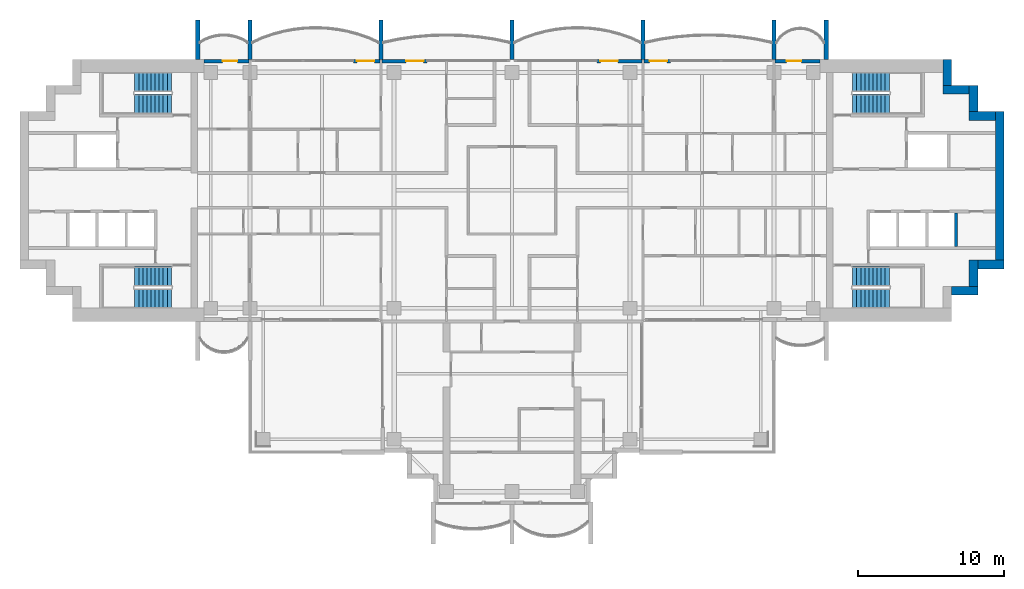
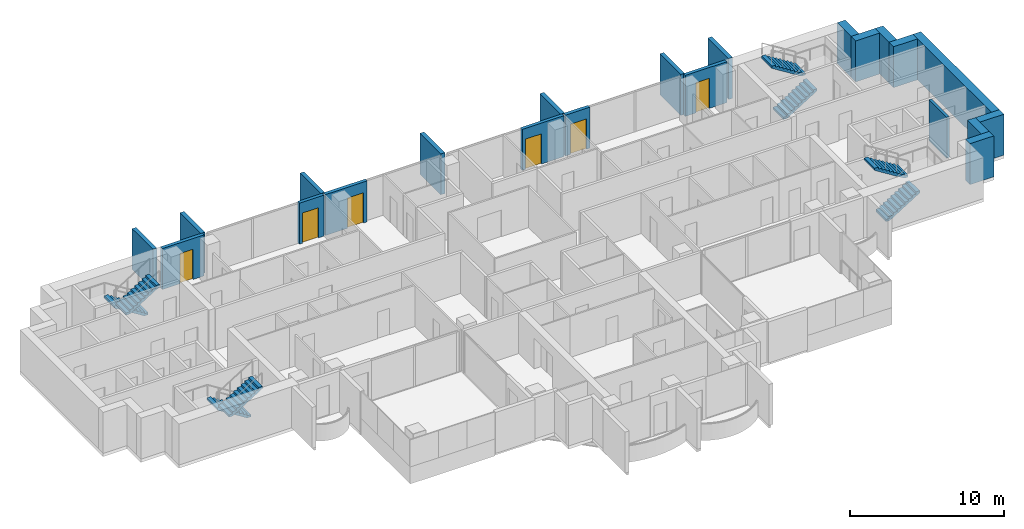
# One storey, part 13 of 17: 22 walls, 8 stair flights, 6 doors, 6 openings, 4 elements without a shape of their own.
"""IFC4 building model written with IfcOpenShell, lengths in metres."""

from ifc_helpers import new_model, si_unit, direction, frame, frame_2d, origin, place, context, subcontext, project, spatial, polyline, rectangle, outline, extrude, material, layer, layer_set, type_object, element, fill, aggregate, save


model = new_model("IFC4")

# Units and contexts
model_context = context("Model", 3, precision=1e-05, world=origin(), true_north=direction((0.0, 1.0)))
body_context = subcontext(model_context, "Body", "Model", "MODEL_VIEW")
ifc_project = project(units=[si_unit("LENGTHUNIT", "METRE"), si_unit("AREAUNIT", "SQUARE_METRE"), si_unit("VOLUMEUNIT", "CUBIC_METRE"), si_unit("PLANEANGLEUNIT", "RADIAN"), si_unit("MASSUNIT", "GRAM", prefix="KILO")], contexts=[model_context])

# Site, building, storey
site_placement = place(None, origin())
site = spatial("IfcSite", under=ifc_project, at=site_placement, CompositionType="ELEMENT")
building_placement = place(site_placement, origin())
building = spatial("IfcBuilding", under=site, at=building_placement, Name="Perihelion Cross Residences", CompositionType="ELEMENT")
storey_placement = place(building_placement, frame((0.0, 0.0, 184.10009765625)))
storey = spatial("IfcBuildingStorey", under=building, at=storey_placement, Name="L45", CompositionType="ELEMENT", Elevation=184.10009765625)

# Wall, opening, door
ifc_material_1 = material(Name="Concrete C30/37, bronze-clad", Category="concrete")
ifc_layer_1 = layer(ifc_material_1, 0.25)
ifc_layer_set_1 = layer_set([ifc_layer_1], Name="Bronze-clad pier wall 250")
wall_type_1 = type_object("IfcWallType", Name="Bronze-clad pier wall 250", PredefinedType="SOLIDWALL", material=ifc_layer_set_1)
wall_1_placement = place(storey_placement, frame((21.175048828125, 8.875, 0.0), z_axis=(0.0, 0.0, 1.0), x_axis=(-1.0, 0.0, 0.0)))
wall_1 = element("IfcWall", 1, at=wall_1_placement, inside=storey, type_object=wall_type_1, Name="Wall FW1 L45 east side north bay 1 pier", PredefinedType="SOLIDWALL", context=body_context, shape_type="SweptSolid", body=[
    extrude(rectangle(XDim=3.114990234375, YDim=0.25, at=frame_2d((1.5576171875, 0.0))), origin(), (0.0, 0.0, 1.0), 3.25),
])
opening_1_placement = place(wall_1_placement, frame((1.300048828125, 0.0, 0.0)))
opening_1 = element("IfcOpeningElement", 2, at=opening_1_placement, cuts=wall_1, Name="Opening L45.E01", PredefinedType="OPENING", context=body_context, shape_type="SweptSolid", body=[
    extrude(rectangle(XDim=1.0, YDim=2.39990234375, at=frame_2d((0.5, 1.199951171875))), frame((0.0, 0.135009765625, 0.0), z_axis=(0.0, -1.0, 0.0), x_axis=(1.0, 0.0, 0.0)), (0.0, 0.0, 1.0), 0.27001953125),
])
ifc_material_2 = material(Name="Bronze anodised aluminium, glazed", Category="aluminium")
door_type_1 = type_object("IfcDoorType", Name="Balcony door 1000 x 2400", OperationType="NOTDEFINED", PredefinedType="DOOR", material=ifc_material_2)
door_1_placement = place(opening_1_placement, origin())
door_1 = element("IfcDoor", 3, at=door_1_placement, inside=storey, type_object=door_type_1, Name="Door L45.E01 east side north bay 1", OperationType="SINGLE_SWING_LEFT", OverallHeight=2.39990234375, OverallWidth=1.0, PredefinedType="DOOR", context=body_context, shape_type="SweptSolid", body=[
    extrude(rectangle(XDim=1.0, YDim=2.39990234375, at=frame_2d((0.5, 1.199951171875))), frame((0.0, 0.02490234375, 0.0), z_axis=(0.0, -1.0, 0.0), x_axis=(1.0, 0.0, 0.0)), (0.0, 0.0, 1.0), 0.050048828125),
])
fill(opening_1, door_1)

wall_2_placement = place(storey_placement, frame((10.89990234375, 8.875, 0.0), z_axis=(0.0, 0.0, 1.0), x_axis=(-1.0, 0.0, 0.0)))
wall_2 = element("IfcWall", 4, at=wall_2_placement, inside=storey, type_object=wall_type_1, Name="Wall FW1 L45 east side north bay 2 pier", PredefinedType="SOLIDWALL", context=body_context, shape_type="SweptSolid", body=[
    extrude(rectangle(XDim=1.83984375, YDim=0.25, at=frame_2d((0.919921875, 0.0))), origin(), (0.0, 0.0, 1.0), 3.25),
])
opening_2_placement = place(wall_2_placement, frame((0.25, 0.0, 0.0)))
opening_2 = element("IfcOpeningElement", 5, at=opening_2_placement, cuts=wall_2, Name="Opening L45.E02", PredefinedType="OPENING", context=body_context, shape_type="SweptSolid", body=[
    extrude(rectangle(XDim=1.199951171875, YDim=2.39990234375, at=frame_2d((0.60009765625, 1.199951171875))), frame((0.0, 0.135009765625, 0.0), z_axis=(0.0, -1.0, 0.0), x_axis=(1.0, 0.0, 0.0)), (0.0, 0.0, 1.0), 0.27001953125),
])
ifc_material_3 = material(Name="Bronze anodised aluminium, glazed", Category="aluminium")
door_type_2 = type_object("IfcDoorType", Name="Balcony door 1200 x 2400", OperationType="NOTDEFINED", PredefinedType="DOOR", material=ifc_material_3)
door_2_placement = place(opening_2_placement, origin())
door_2 = element("IfcDoor", 6, at=door_2_placement, inside=storey, type_object=door_type_2, Name="Door L45.E02 east side north bay 2", OperationType="SINGLE_SWING_RIGHT", OverallHeight=2.39990234375, OverallWidth=1.199951171875, PredefinedType="DOOR", context=body_context, shape_type="SweptSolid", body=[
    extrude(rectangle(XDim=1.199951171875, YDim=2.39990234375, at=frame_2d((0.60009765625, 1.199951171875))), frame((0.0, 0.02490234375, 0.0), z_axis=(0.0, -1.0, 0.0), x_axis=(1.0, 0.0, 0.0)), (0.0, 0.0, 1.0), 0.050048828125),
])
fill(opening_2, door_2)

wall_3_placement = place(storey_placement, frame((8.93994140625, 8.875, 0.0), z_axis=(0.0, 0.0, 1.0), x_axis=(-1.0, 0.0, 0.0)))
wall_3 = element("IfcWall", 7, at=wall_3_placement, inside=storey, type_object=wall_type_1, Name="Wall FW1 L45 north side east bay 1 pier", PredefinedType="SOLIDWALL", context=body_context, shape_type="SweptSolid", body=[
    extrude(rectangle(XDim=3.114990234375, YDim=0.25, at=frame_2d((1.5576171875, 0.0))), origin(), (0.0, 0.0, 1.0), 3.25),
])
opening_3_placement = place(wall_3_placement, frame((1.6650390625, 0.0, 0.0)))
opening_3 = element("IfcOpeningElement", 8, at=opening_3_placement, cuts=wall_3, Name="Opening L45.E03", PredefinedType="OPENING", context=body_context, shape_type="SweptSolid", body=[
    extrude(rectangle(XDim=1.199951171875, YDim=2.39990234375, at=frame_2d((0.60009765625, 1.199951171875))), frame((0.0, 0.135009765625, 0.0), z_axis=(0.0, -1.0, 0.0), x_axis=(1.0, 0.0, 0.0)), (0.0, 0.0, 1.0), 0.27001953125),
])
door_3_placement = place(opening_3_placement, origin())
door_3 = element("IfcDoor", 9, at=door_3_placement, inside=storey, type_object=door_type_2, Name="Door L45.E03 north side east bay 1", OperationType="SINGLE_SWING_LEFT", OverallHeight=2.39990234375, OverallWidth=1.199951171875, PredefinedType="DOOR", context=body_context, shape_type="SweptSolid", body=[
    extrude(rectangle(XDim=1.199951171875, YDim=2.39990234375, at=frame_2d((0.60009765625, 1.199951171875))), frame((0.0, 0.02490234375, 0.0), z_axis=(0.0, -1.0, 0.0), x_axis=(1.0, 0.0, 0.0)), (0.0, 0.0, 1.0), 0.050048828125),
])
fill(opening_3, door_3)

wall_4_placement = place(storey_placement, frame((-5.824951171875, 8.875, 0.0), z_axis=(0.0, 0.0, 1.0), x_axis=(-1.0, 0.0, 0.0)))
wall_4 = element("IfcWall", 10, at=wall_4_placement, inside=storey, type_object=wall_type_1, Name="Wall FW1 L45 north side east bay 2 pier", PredefinedType="SOLIDWALL", context=body_context, shape_type="SweptSolid", body=[
    extrude(rectangle(XDim=3.114990234375, YDim=0.25, at=frame_2d((1.5576171875, 0.0))), origin(), (0.0, 0.0, 1.0), 3.25),
])
opening_4_placement = place(wall_4_placement, frame((0.25, 0.0, 0.0)))
opening_4 = element("IfcOpeningElement", 11, at=opening_4_placement, cuts=wall_4, Name="Opening L45.E04", PredefinedType="OPENING", context=body_context, shape_type="SweptSolid", body=[
    extrude(rectangle(XDim=1.199951171875, YDim=2.39990234375, at=frame_2d((0.60009765625, 1.199951171875))), frame((0.0, 0.135009765625, 0.0), z_axis=(0.0, -1.0, 0.0), x_axis=(1.0, 0.0, 0.0)), (0.0, 0.0, 1.0), 0.27001953125),
])
door_4_placement = place(opening_4_placement, origin())
door_4 = element("IfcDoor", 12, at=door_4_placement, inside=storey, type_object=door_type_2, Name="Door L45.E04 north side east bay 2", OperationType="SINGLE_SWING_RIGHT", OverallHeight=2.39990234375, OverallWidth=1.199951171875, PredefinedType="DOOR", context=body_context, shape_type="SweptSolid", body=[
    extrude(rectangle(XDim=1.199951171875, YDim=2.39990234375, at=frame_2d((0.60009765625, 1.199951171875))), frame((0.0, 0.02490234375, 0.0), z_axis=(0.0, -1.0, 0.0), x_axis=(1.0, 0.0, 0.0)), (0.0, 0.0, 1.0), 0.050048828125),
])
fill(opening_4, door_4)

wall_5_placement = place(storey_placement, frame((-9.06005859375, 8.875, 0.0), z_axis=(0.0, 0.0, 1.0), x_axis=(-1.0, 0.0, 0.0)))
wall_5 = element("IfcWall", 13, at=wall_5_placement, inside=storey, type_object=wall_type_1, Name="Wall FW1 L45 west side north bay 1 pier", PredefinedType="SOLIDWALL", context=body_context, shape_type="SweptSolid", body=[
    extrude(rectangle(XDim=1.83984375, YDim=0.25, at=frame_2d((0.919921875, 0.0))), origin(), (0.0, 0.0, 1.0), 3.25),
])
opening_5_placement = place(wall_5_placement, frame((0.389892578125, 0.0, 0.0)))
opening_5 = element("IfcOpeningElement", 14, at=opening_5_placement, cuts=wall_5, Name="Opening L45.E05", PredefinedType="OPENING", context=body_context, shape_type="SweptSolid", body=[
    extrude(rectangle(XDim=1.199951171875, YDim=2.39990234375, at=frame_2d((0.60009765625, 1.199951171875))), frame((0.0, 0.135009765625, 0.0), z_axis=(0.0, -1.0, 0.0), x_axis=(1.0, 0.0, 0.0)), (0.0, 0.0, 1.0), 0.27001953125),
])
door_5_placement = place(opening_5_placement, origin())
door_5 = element("IfcDoor", 15, at=door_5_placement, inside=storey, type_object=door_type_2, Name="Door L45.E05 west side north bay 1", OperationType="SINGLE_SWING_LEFT", OverallHeight=2.39990234375, OverallWidth=1.199951171875, PredefinedType="DOOR", context=body_context, shape_type="SweptSolid", body=[
    extrude(rectangle(XDim=1.199951171875, YDim=2.39990234375, at=frame_2d((0.60009765625, 1.199951171875))), frame((0.0, 0.02490234375, 0.0), z_axis=(0.0, -1.0, 0.0), x_axis=(1.0, 0.0, 0.0)), (0.0, 0.0, 1.0), 0.050048828125),
])
fill(opening_5, door_5)

wall_6_placement = place(storey_placement, frame((-18.06005859375, 8.875, 0.0), z_axis=(0.0, 0.0, 1.0), x_axis=(-1.0, 0.0, 0.0)))
wall_6 = element("IfcWall", 16, at=wall_6_placement, inside=storey, type_object=wall_type_1, Name="Wall FW1 L45 west side north bay 2 pier", PredefinedType="SOLIDWALL", context=body_context, shape_type="SweptSolid", body=[
    extrude(rectangle(XDim=3.114990234375, YDim=0.25, at=frame_2d((1.5576171875, 0.0))), origin(), (0.0, 0.0, 1.0), 3.25),
])
opening_6_placement = place(wall_6_placement, frame((0.81494140625, 0.0, 0.0)))
opening_6 = element("IfcOpeningElement", 17, at=opening_6_placement, cuts=wall_6, Name="Opening L45.E06", PredefinedType="OPENING", context=body_context, shape_type="SweptSolid", body=[
    extrude(rectangle(XDim=1.0, YDim=2.39990234375, at=frame_2d((0.5, 1.199951171875))), frame((0.0, 0.135009765625, 0.0), z_axis=(0.0, -1.0, 0.0), x_axis=(1.0, 0.0, 0.0)), (0.0, 0.0, 1.0), 0.27001953125),
])
door_6_placement = place(opening_6_placement, origin())
door_6 = element("IfcDoor", 18, at=door_6_placement, inside=storey, type_object=door_type_1, Name="Door L45.E06 west side north bay 2", OperationType="SINGLE_SWING_RIGHT", OverallHeight=2.39990234375, OverallWidth=1.0, PredefinedType="DOOR", context=body_context, shape_type="SweptSolid", body=[
    extrude(rectangle(XDim=1.0, YDim=2.39990234375, at=frame_2d((0.5, 1.199951171875))), frame((0.0, 0.02490234375, 0.0), z_axis=(0.0, -1.0, 0.0), x_axis=(1.0, 0.0, 0.0)), (0.0, 0.0, 1.0), 0.050048828125),
])
fill(opening_6, door_6)

# Walls
ifc_material_4 = material(Name="Concrete C60/75", Category="concrete")
ifc_layer_2 = layer(ifc_material_4, 0.60009765625)
ifc_layer_set_2 = layer_set([ifc_layer_2], Name="Core wall, outer 600")
wall_type_2 = type_object("IfcWallType", Name="Core wall, outer 600", PredefinedType="SHEAR", material=ifc_layer_set_2)
for number, where, z_axis, x_axis, name in (
    (19, (30.199951171875, -6.89990234375, 0.0), (0.0, 0.0, 1.0), (1.0, 0.0, 0.0), "East core core wall, outer"),
    (20, (31.699951171875, -6.60009765625, 0.0), (0.0, 0.0, 1.0), (0.0, 1.0, 0.0), "East core core wall, outer"),
    (21, (32.0, -5.10009765625, 0.0), (0.0, 0.0, 1.0), (1.0, 0.0, 0.0), "East core core wall, outer"),
):
    element("IfcWall", number, at=place(storey_placement, frame(where, z_axis=z_axis, x_axis=x_axis)), inside=storey, type_object=wall_type_2, Name=name, PredefinedType="SHEAR", context=body_context, shape_type="SweptSolid", body=[
        extrude(rectangle(XDim=1.800048828125, YDim=0.60009765625, at=frame_2d((0.89990234375, 0.0))), origin(), (0.0, 0.0, 1.0), 3.25),
    ])
wall_7_placement = place(storey_placement, frame((33.5, -4.800048828125, 0.0), z_axis=(0.0, 0.0, 1.0), x_axis=(0.0, 1.0, 0.0)))
element("IfcWall", 22, at=wall_7_placement, inside=storey, type_object=wall_type_2, Name="East core core wall, outer", PredefinedType="SHEAR", context=body_context, shape_type="SweptSolid", body=[
    extrude(rectangle(XDim=10.199951171875, YDim=0.60009765625, at=frame_2d((5.10009765625, 0.0))), origin(), (0.0, 0.0, 1.0), 3.25),
])
for number, where, z_axis, x_axis, name in (
    (23, (31.39990234375, 5.10009765625, 0.0), (0.0, 0.0, 1.0), (1.0, 0.0, 0.0), "East core core wall, outer"),
    (24, (31.699951171875, 5.39990234375, 0.0), (0.0, 0.0, 1.0), (0.0, 1.0, 0.0), "East core core wall, outer"),
):
    element("IfcWall", number, at=place(storey_placement, frame(where, z_axis=z_axis, x_axis=x_axis)), inside=storey, type_object=wall_type_2, Name=name, PredefinedType="SHEAR", context=body_context, shape_type="SweptSolid", body=[
        extrude(rectangle(XDim=1.800048828125, YDim=0.60009765625, at=frame_2d((0.89990234375, 0.0))), origin(), (0.0, 0.0, 1.0), 3.25),
    ])
wall_8_placement = place(storey_placement, frame((29.60009765625, 6.89990234375, 0.0), z_axis=(0.0, 0.0, 1.0), x_axis=(1.0, 0.0, 0.0)))
element("IfcWall", 25, at=wall_8_placement, inside=storey, type_object=wall_type_2, Name="East core core wall, outer", PredefinedType="SHEAR", context=body_context, shape_type="SweptSolid", body=[
    extrude(rectangle(XDim=1.7998046875, YDim=0.60009765625, at=frame_2d((0.89990234375, 0.0))), origin(), (0.0, 0.0, 1.0), 3.25),
])
wall_9_placement = place(storey_placement, frame((29.89990234375, 7.199951171875, 0.0), z_axis=(0.0, 0.0, 1.0), x_axis=(0.0, 1.0, 0.0)))
element("IfcWall", 26, at=wall_9_placement, inside=storey, type_object=wall_type_2, Name="East core core wall, outer", PredefinedType="SHEAR", context=body_context, shape_type="SweptSolid", body=[
    extrude(rectangle(XDim=1.800048828125, YDim=0.60009765625, at=frame_2d((0.89990234375, 0.0))), origin(), (0.0, 0.0, 1.0), 3.25),
])
ifc_material_5 = material(Name="Precast concrete C50/60", Category="concrete")
ifc_layer_3 = layer(ifc_material_5, 0.300048828125)
ifc_layer_set_3 = layer_set([ifc_layer_3], Name="Precast concrete C50/60 blade wall 300")
wall_type_3 = type_object("IfcWallType", Name="Precast concrete C50/60 blade wall 300", PredefinedType="SOLIDWALL", material=ifc_layer_set_3)
for number, where, z_axis, x_axis, name in (
    (27, (-21.60009765625, 9.0, 0.0), (0.0, 0.0, 1.0), (0.0, 1.0, 0.0), "Wall BL1 L45 no. 4"),
    (28, (-18.0, 9.0, 0.0), (0.0, 0.0, 1.0), (0.0, 1.0, 0.0), "Wall BL1 L45 no. 2"),
    (29, (-9.0, 9.0, 0.0), (0.0, 0.0, 1.0), (0.0, 1.0, 0.0), "Wall BL1 L45 no. 7"),
    (30, (0.0, 9.0, 0.0), (0.0, 0.0, 1.0), (0.0, 1.0, 0.0), "Wall BL1 L45 no. 9"),
    (31, (9.0, 9.0, 0.0), (0.0, 0.0, 1.0), (0.0, 1.0, 0.0), "Wall BL1 L45 no. 16"),
    (32, (18.0, 9.0, 0.0), (0.0, 0.0, 1.0), (0.0, 1.0, 0.0), "Wall BL1 L45 no. 11"),
    (33, (21.60009765625, 9.0, 0.0), (0.0, 0.0, 1.0), (0.0, 1.0, 0.0), "Wall BL1 L45 no. 13"),
):
    element("IfcWall", number, at=place(storey_placement, frame(where, z_axis=z_axis, x_axis=x_axis)), inside=storey, type_object=wall_type_3, Name=name, PredefinedType="SOLIDWALL", context=body_context, shape_type="SweptSolid", body=[
        extrude(rectangle(XDim=2.699951171875, YDim=0.300048828125, at=frame_2d((1.35009765625, 0.0))), origin(), (0.0, 0.0, 1.0), 3.25),
    ])
ifc_material_6 = material(Name="Concrete C50/60", Category="concrete")
ifc_layer_4 = layer(ifc_material_6, 0.199951171875)
ifc_layer_set_4 = layer_set([ifc_layer_4], Name="Shaft wall 200")
wall_type_4 = type_object("IfcWallType", Name="Shaft wall 200", PredefinedType="SOLIDWALL", material=ifc_layer_set_4)
wall_10_placement = place(storey_placement, frame((30.5, -3.85009765625, 0.0), z_axis=(0.0, 0.0, 1.0), x_axis=(0.0, 1.0, 0.0)))
element("IfcWall", 34, at=wall_10_placement, inside=storey, type_object=wall_type_4, Name="East core shaft wall", PredefinedType="SOLIDWALL", context=body_context, shape_type="SweptSolid", body=[
    extrude(rectangle(XDim=2.300048828125, YDim=0.199951171875, at=frame_2d((1.14990234375, 0.0))), origin(), (0.0, 0.0, 1.0), 3.25),
])

# Stair, stair flights
ifc_material_7 = material(Name="Concrete C40/50", Category="concrete")
stair_type = type_object("IfcStairType", Name="Exit stair, half-turn", PredefinedType="HALF_TURN_STAIR", material=ifc_material_7)
stair_1_placement = place(storey_placement, origin())
stair_1 = element("IfcStair", 35, at=stair_1_placement, inside=storey, type_object=stair_type, Name="L45 East core exit stair 1", PredefinedType="HALF_TURN_STAIR")
ifc_material_8 = material(Name="Concrete C40/50", Category="concrete")
stair_flight_type = type_object("IfcStairFlightType", Name="Exit stair flight", PredefinedType="STRAIGHT", material=ifc_material_8)
stair_flight_1_placement = place(storey_placement, frame((23.39990234375, 5.925048828125, 0.0), z_axis=(0.0, 0.0, 1.0), x_axis=(1.0, 0.0, 0.0)))
stair_flight_1 = element("IfcStairFlight", 36, at=stair_flight_1_placement, type_object=stair_flight_type, Name="ST-E1 flight 1", NumberOfRisers=10, NumberOfTreads=9, PredefinedType="STRAIGHT", RiserHeight=0.175, TreadLength=0.28, context=body_context, shape_type="SweptSolid", body=[
    extrude(outline(polyline([(0.0, 0.0), (0.0, 0.175048828125), (0.280029296875, 0.175048828125), (0.280029296875, 0.35009765625), (0.56005859375, 0.35009765625), (0.56005859375, 0.52490234375), (0.840087890625, 0.52490234375), (0.840087890625, 0.699951171875), (1.1201171875, 0.699951171875), (1.1201171875, 0.875), (1.39990234375, 0.875), (1.39990234375, 1.050048828125), (1.679931640625, 1.050048828125), (1.679931640625, 1.22509765625), (1.9599609375, 1.22509765625), (1.9599609375, 1.39990234375), (2.239990234375, 1.39990234375), (2.239990234375, 1.574951171875), (2.52001953125, 1.574951171875), (2.52001953125, 1.75), (2.52001953125, 1.398193359375), (0.28271484375, 0.0), (0.0, 0.0)])), frame((0.0, 0.675048828125, 0.0), z_axis=(0.0, -1.0, 0.0), x_axis=(1.0, 0.0, 0.0)), (0.0, 0.0, 1.0), 1.35009765625),
])
stair_flight_2_placement = place(storey_placement, frame((25.919921875, 7.425048828125, 1.75), z_axis=(0.0, 0.0, 1.0), x_axis=(-1.0, 0.0, 0.0)))
stair_flight_2 = element("IfcStairFlight", 37, at=stair_flight_2_placement, type_object=stair_flight_type, Name="ST-E1 flight 2", NumberOfRisers=10, NumberOfTreads=9, PredefinedType="STRAIGHT", RiserHeight=0.175, TreadLength=0.28, context=body_context, shape_type="SweptSolid", body=[
    extrude(outline(polyline([(0.0, 0.0), (0.0, 0.175048828125), (0.280029296875, 0.175048828125), (0.280029296875, 0.35009765625), (0.56005859375, 0.35009765625), (0.56005859375, 0.52490234375), (0.840087890625, 0.52490234375), (0.840087890625, 0.699951171875), (1.1201171875, 0.699951171875), (1.1201171875, 0.875), (1.39990234375, 0.875), (1.39990234375, 1.050048828125), (1.679931640625, 1.050048828125), (1.679931640625, 1.22509765625), (1.9599609375, 1.22509765625), (1.9599609375, 1.39990234375), (2.239990234375, 1.39990234375), (2.239990234375, 1.574951171875), (2.52001953125, 1.574951171875), (2.52001953125, 1.75), (2.52001953125, 1.398193359375), (0.28271484375, 0.0), (0.0, 0.0)])), frame((0.0, 0.675048828125, 0.0), z_axis=(0.0, -1.0, 0.0), x_axis=(1.0, 0.0, 0.0)), (0.0, 0.0, 1.0), 1.35009765625),
])
aggregate(stair_1, [stair_flight_1, stair_flight_2])

stair_2_placement = place(storey_placement, origin())
stair_2 = element("IfcStair", 38, at=stair_2_placement, inside=storey, type_object=stair_type, Name="L45 East core exit stair 2", PredefinedType="HALF_TURN_STAIR")
stair_flight_3_placement = place(storey_placement, frame((23.39990234375, -7.425048828125, 0.0), z_axis=(0.0, 0.0, 1.0), x_axis=(1.0, 0.0, 0.0)))
stair_flight_3 = element("IfcStairFlight", 39, at=stair_flight_3_placement, type_object=stair_flight_type, Name="ST-E2 flight 1", NumberOfRisers=10, NumberOfTreads=9, PredefinedType="STRAIGHT", RiserHeight=0.175, TreadLength=0.28, context=body_context, shape_type="SweptSolid", body=[
    extrude(outline(polyline([(0.0, 0.0), (0.0, 0.175048828125), (0.280029296875, 0.175048828125), (0.280029296875, 0.35009765625), (0.56005859375, 0.35009765625), (0.56005859375, 0.52490234375), (0.840087890625, 0.52490234375), (0.840087890625, 0.699951171875), (1.1201171875, 0.699951171875), (1.1201171875, 0.875), (1.39990234375, 0.875), (1.39990234375, 1.050048828125), (1.679931640625, 1.050048828125), (1.679931640625, 1.22509765625), (1.9599609375, 1.22509765625), (1.9599609375, 1.39990234375), (2.239990234375, 1.39990234375), (2.239990234375, 1.574951171875), (2.52001953125, 1.574951171875), (2.52001953125, 1.75), (2.52001953125, 1.398193359375), (0.28271484375, 0.0), (0.0, 0.0)])), frame((0.0, 0.675048828125, 0.0), z_axis=(0.0, -1.0, 0.0), x_axis=(1.0, 0.0, 0.0)), (0.0, 0.0, 1.0), 1.35009765625),
])
stair_flight_4_placement = place(storey_placement, frame((25.919921875, -5.925048828125, 1.75), z_axis=(0.0, 0.0, 1.0), x_axis=(-1.0, 0.0, 0.0)))
stair_flight_4 = element("IfcStairFlight", 40, at=stair_flight_4_placement, type_object=stair_flight_type, Name="ST-E2 flight 2", NumberOfRisers=10, NumberOfTreads=9, PredefinedType="STRAIGHT", RiserHeight=0.175, TreadLength=0.28, context=body_context, shape_type="SweptSolid", body=[
    extrude(outline(polyline([(0.0, 0.0), (0.0, 0.175048828125), (0.280029296875, 0.175048828125), (0.280029296875, 0.35009765625), (0.56005859375, 0.35009765625), (0.56005859375, 0.52490234375), (0.840087890625, 0.52490234375), (0.840087890625, 0.699951171875), (1.1201171875, 0.699951171875), (1.1201171875, 0.875), (1.39990234375, 0.875), (1.39990234375, 1.050048828125), (1.679931640625, 1.050048828125), (1.679931640625, 1.22509765625), (1.9599609375, 1.22509765625), (1.9599609375, 1.39990234375), (2.239990234375, 1.39990234375), (2.239990234375, 1.574951171875), (2.52001953125, 1.574951171875), (2.52001953125, 1.75), (2.52001953125, 1.398193359375), (0.28271484375, 0.0), (0.0, 0.0)])), frame((0.0, 0.675048828125, 0.0), z_axis=(0.0, -1.0, 0.0), x_axis=(1.0, 0.0, 0.0)), (0.0, 0.0, 1.0), 1.35009765625),
])
aggregate(stair_2, [stair_flight_3, stair_flight_4])

stair_3_placement = place(storey_placement, origin())
stair_3 = element("IfcStair", 41, at=stair_3_placement, inside=storey, type_object=stair_type, Name="L45 West core exit stair 1", PredefinedType="HALF_TURN_STAIR")
stair_flight_5_placement = place(storey_placement, frame((-23.39990234375, 7.425048828125, 0.0), z_axis=(0.0, 0.0, 1.0), x_axis=(-1.0, 0.0, 0.0)))
stair_flight_5 = element("IfcStairFlight", 42, at=stair_flight_5_placement, type_object=stair_flight_type, Name="ST-W1 flight 1", NumberOfRisers=10, NumberOfTreads=9, PredefinedType="STRAIGHT", RiserHeight=0.175, TreadLength=0.28, context=body_context, shape_type="SweptSolid", body=[
    extrude(outline(polyline([(0.0, 0.0), (0.0, 0.175048828125), (0.280029296875, 0.175048828125), (0.280029296875, 0.35009765625), (0.56005859375, 0.35009765625), (0.56005859375, 0.52490234375), (0.840087890625, 0.52490234375), (0.840087890625, 0.699951171875), (1.1201171875, 0.699951171875), (1.1201171875, 0.875), (1.39990234375, 0.875), (1.39990234375, 1.050048828125), (1.679931640625, 1.050048828125), (1.679931640625, 1.22509765625), (1.9599609375, 1.22509765625), (1.9599609375, 1.39990234375), (2.239990234375, 1.39990234375), (2.239990234375, 1.574951171875), (2.52001953125, 1.574951171875), (2.52001953125, 1.75), (2.52001953125, 1.398193359375), (0.28271484375, 0.0), (0.0, 0.0)])), frame((0.0, 0.675048828125, 0.0), z_axis=(0.0, -1.0, 0.0), x_axis=(1.0, 0.0, 0.0)), (0.0, 0.0, 1.0), 1.35009765625),
])
stair_flight_6_placement = place(storey_placement, frame((-25.919921875, 5.925048828125, 1.75), z_axis=(0.0, 0.0, 1.0), x_axis=(1.0, 0.0, 0.0)))
stair_flight_6 = element("IfcStairFlight", 43, at=stair_flight_6_placement, type_object=stair_flight_type, Name="ST-W1 flight 2", NumberOfRisers=10, NumberOfTreads=9, PredefinedType="STRAIGHT", RiserHeight=0.175, TreadLength=0.28, context=body_context, shape_type="SweptSolid", body=[
    extrude(outline(polyline([(0.0, 0.0), (0.0, 0.175048828125), (0.280029296875, 0.175048828125), (0.280029296875, 0.35009765625), (0.56005859375, 0.35009765625), (0.56005859375, 0.52490234375), (0.840087890625, 0.52490234375), (0.840087890625, 0.699951171875), (1.1201171875, 0.699951171875), (1.1201171875, 0.875), (1.39990234375, 0.875), (1.39990234375, 1.050048828125), (1.679931640625, 1.050048828125), (1.679931640625, 1.22509765625), (1.9599609375, 1.22509765625), (1.9599609375, 1.39990234375), (2.239990234375, 1.39990234375), (2.239990234375, 1.574951171875), (2.52001953125, 1.574951171875), (2.52001953125, 1.75), (2.52001953125, 1.398193359375), (0.28271484375, 0.0), (0.0, 0.0)])), frame((0.0, 0.675048828125, 0.0), z_axis=(0.0, -1.0, 0.0), x_axis=(1.0, 0.0, 0.0)), (0.0, 0.0, 1.0), 1.35009765625),
])
aggregate(stair_3, [stair_flight_5, stair_flight_6])

stair_4_placement = place(storey_placement, origin())
stair_4 = element("IfcStair", 44, at=stair_4_placement, inside=storey, type_object=stair_type, Name="L45 West core exit stair 2", PredefinedType="HALF_TURN_STAIR")
stair_flight_7_placement = place(storey_placement, frame((-23.39990234375, -5.925048828125, 0.0), z_axis=(0.0, 0.0, 1.0), x_axis=(-1.0, 0.0, 0.0)))
stair_flight_7 = element("IfcStairFlight", 45, at=stair_flight_7_placement, type_object=stair_flight_type, Name="ST-W2 flight 1", NumberOfRisers=10, NumberOfTreads=9, PredefinedType="STRAIGHT", RiserHeight=0.175, TreadLength=0.28, context=body_context, shape_type="SweptSolid", body=[
    extrude(outline(polyline([(0.0, 0.0), (0.0, 0.175048828125), (0.280029296875, 0.175048828125), (0.280029296875, 0.35009765625), (0.56005859375, 0.35009765625), (0.56005859375, 0.52490234375), (0.840087890625, 0.52490234375), (0.840087890625, 0.699951171875), (1.1201171875, 0.699951171875), (1.1201171875, 0.875), (1.39990234375, 0.875), (1.39990234375, 1.050048828125), (1.679931640625, 1.050048828125), (1.679931640625, 1.22509765625), (1.9599609375, 1.22509765625), (1.9599609375, 1.39990234375), (2.239990234375, 1.39990234375), (2.239990234375, 1.574951171875), (2.52001953125, 1.574951171875), (2.52001953125, 1.75), (2.52001953125, 1.398193359375), (0.28271484375, 0.0), (0.0, 0.0)])), frame((0.0, 0.675048828125, 0.0), z_axis=(0.0, -1.0, 0.0), x_axis=(1.0, 0.0, 0.0)), (0.0, 0.0, 1.0), 1.35009765625),
])
stair_flight_8_placement = place(storey_placement, frame((-25.919921875, -7.425048828125, 1.75), z_axis=(0.0, 0.0, 1.0), x_axis=(1.0, 0.0, 0.0)))
stair_flight_8 = element("IfcStairFlight", 46, at=stair_flight_8_placement, type_object=stair_flight_type, Name="ST-W2 flight 2", NumberOfRisers=10, NumberOfTreads=9, PredefinedType="STRAIGHT", RiserHeight=0.175, TreadLength=0.28, context=body_context, shape_type="SweptSolid", body=[
    extrude(outline(polyline([(0.0, 0.0), (0.0, 0.175048828125), (0.280029296875, 0.175048828125), (0.280029296875, 0.35009765625), (0.56005859375, 0.35009765625), (0.56005859375, 0.52490234375), (0.840087890625, 0.52490234375), (0.840087890625, 0.699951171875), (1.1201171875, 0.699951171875), (1.1201171875, 0.875), (1.39990234375, 0.875), (1.39990234375, 1.050048828125), (1.679931640625, 1.050048828125), (1.679931640625, 1.22509765625), (1.9599609375, 1.22509765625), (1.9599609375, 1.39990234375), (2.239990234375, 1.39990234375), (2.239990234375, 1.574951171875), (2.52001953125, 1.574951171875), (2.52001953125, 1.75), (2.52001953125, 1.398193359375), (0.28271484375, 0.0), (0.0, 0.0)])), frame((0.0, 0.675048828125, 0.0), z_axis=(0.0, -1.0, 0.0), x_axis=(1.0, 0.0, 0.0)), (0.0, 0.0, 1.0), 1.35009765625),
])
aggregate(stair_4, [stair_flight_7, stair_flight_8])

save(model, "model.ifc")
